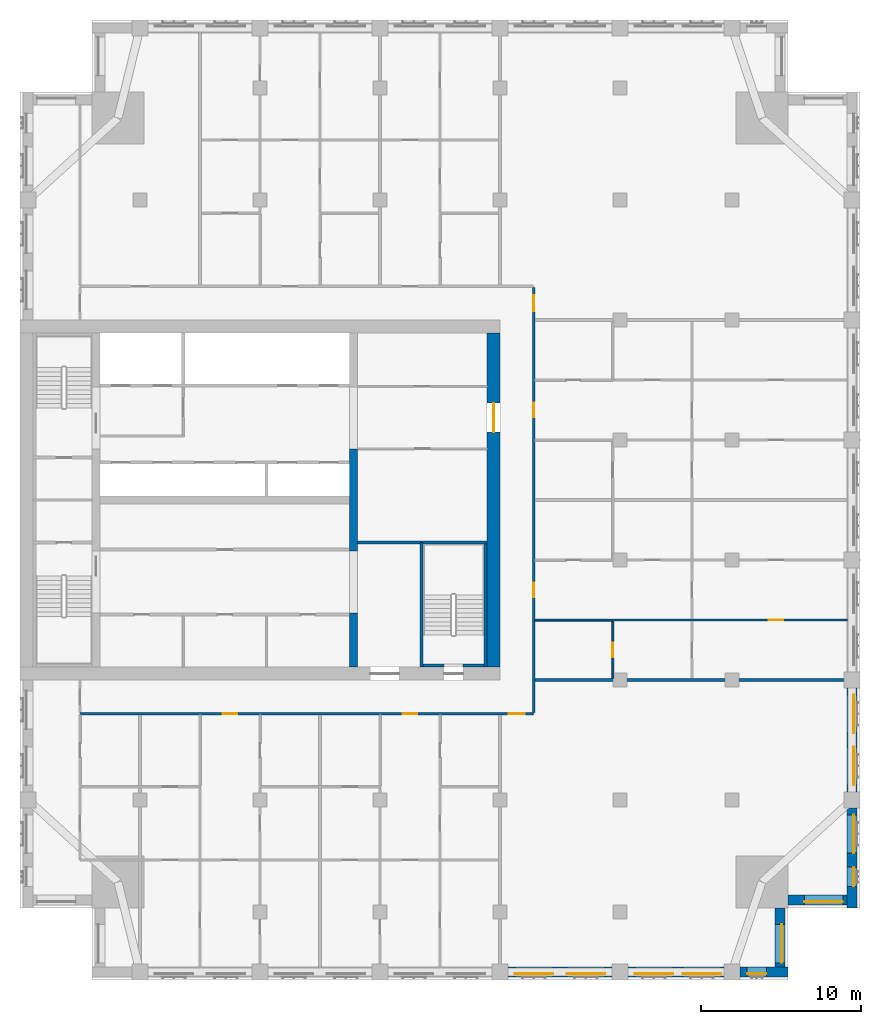
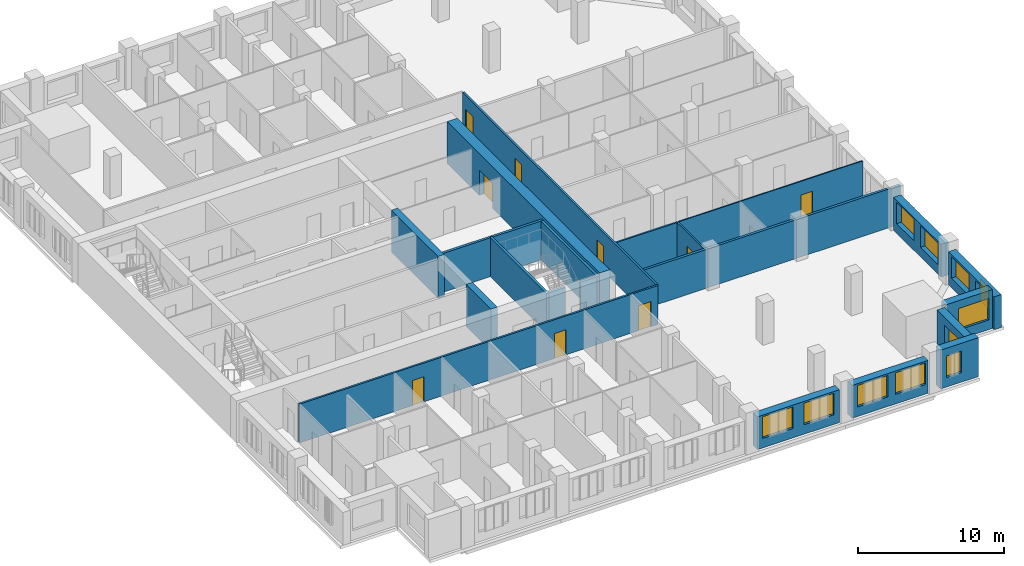
# One storey, part 8 of 14: 21 walls, 11 windows, 9 doors, 20 openings.
"""IFC4 building model written with IfcOpenShell, lengths in metres."""

from ifc_helpers import new_model, si_unit, direction, frame, frame_2d, origin, place, context, subcontext, project, spatial, rectangle, extrude, material, layer, layer_set, type_object, element, fill, save


model = new_model("IFC4")

# Units and contexts
model_context = context("Model", 3, precision=1e-05, world=origin(), true_north=direction((0.0, 1.0)))
body_context = subcontext(model_context, "Body", "Model", "MODEL_VIEW")
ifc_project = project(units=[si_unit("LENGTHUNIT", "METRE"), si_unit("AREAUNIT", "SQUARE_METRE"), si_unit("VOLUMEUNIT", "CUBIC_METRE"), si_unit("PLANEANGLEUNIT", "RADIAN"), si_unit("MASSUNIT", "GRAM", prefix="KILO")], contexts=[model_context])

# Site, building, storey
site_placement = place(None, origin())
site = spatial("IfcSite", under=ifc_project, at=site_placement, CompositionType="ELEMENT")
building_placement = place(site_placement, origin())
building = spatial("IfcBuilding", under=site, at=building_placement, Name="Tamorin Gate", CompositionType="ELEMENT")
storey_placement = place(building_placement, frame((0.0, 0.0, 179.199951171875)))
storey = spatial("IfcBuildingStorey", under=building, at=storey_placement, Name="L43", CompositionType="ELEMENT", Elevation=179.199951171875)

# Wall, openings, windows
ifc_material_1 = material(Name="Precast concrete C40/50", Category="concrete")
ifc_layer_1 = layer(ifc_material_1, 0.60009765625)
ifc_layer_set_1 = layer_set([ifc_layer_1], Name="Precast concrete C40/50")
wall_type_1 = type_object("IfcWallType", Name="Board-marked concrete facade panel 600", PredefinedType="SOLIDWALL", material=ifc_layer_set_1)
wall_1_placement = place(storey_placement, frame((60.5, 41.75, 0.0), z_axis=(0.0, 0.0, 1.0), x_axis=(1.0, 0.0, 0.0)))
wall_1 = element("IfcWall", 1, at=wall_1_placement, inside=storey, type_object=wall_type_1, Name="Facade panel", PredefinedType="SOLIDWALL", context=body_context, shape_type="SweptSolid", body=[
    extrude(rectangle(XDim=6.5, YDim=0.60009765625, at=frame_2d((3.25, 0.0))), origin(), (0.0, 0.0, 1.0), 2.75),
])
opening_1_placement = place(wall_1_placement, frame((0.425048828125, 0.0, 0.800048828125)))
opening_1 = element("IfcOpeningElement", 2, at=opening_1_placement, cuts=wall_1, Name="Opening WN1", PredefinedType="OPENING", context=body_context, shape_type="SweptSolid", body=[
    extrude(rectangle(XDim=2.39990234375, YDim=1.800048828125, at=frame_2d((1.199951171875, 0.89990234375))), frame((0.0, 0.31005859375, 0.0), z_axis=(0.0, -1.0, 0.0), x_axis=(1.0, 0.0, 0.0)), (0.0, 0.0, 1.0), 0.6201171875),
])
opening_2_placement = place(wall_1_placement, frame((3.675048828125, 0.0, 0.800048828125)))
opening_2 = element("IfcOpeningElement", 3, at=opening_2_placement, cuts=wall_1, Name="Opening WN1", PredefinedType="OPENING", context=body_context, shape_type="SweptSolid", body=[
    extrude(rectangle(XDim=2.39990234375, YDim=1.800048828125, at=frame_2d((1.199951171875, 0.89990234375))), frame((0.0, 0.31005859375, 0.0), z_axis=(0.0, -1.0, 0.0), x_axis=(1.0, 0.0, 0.0)), (0.0, 0.0, 1.0), 0.6201171875),
])
ifc_material_2 = material(Name="Clear glass in aluminium frame", Category="aluminium")
window_type_1 = type_object("IfcWindowType", Name="Deep-set window 2400x1800", PartitioningType="SINGLE_PANEL", PredefinedType="WINDOW", material=ifc_material_2)
window_1_placement = place(opening_1_placement, origin())
window_1 = element("IfcWindow", 4, at=window_1_placement, inside=storey, type_object=window_type_1, Name="Deep-set window", OverallHeight=1.800048828125, OverallWidth=2.39990234375, PartitioningType="SINGLE_PANEL", PredefinedType="WINDOW", context=body_context, shape_type="SweptSolid", body=[
    extrude(rectangle(XDim=2.39990234375, YDim=1.800048828125, at=frame_2d((1.199951171875, 0.89990234375))), frame((0.0, -0.070068359375, 0.0), z_axis=(0.0, -1.0, 0.0), x_axis=(1.0, 0.0, 0.0)), (0.0, 0.0, 1.0), 0.06005859375),
])
fill(opening_1, window_1)
window_2_placement = place(opening_2_placement, origin())
window_2 = element("IfcWindow", 5, at=window_2_placement, inside=storey, type_object=window_type_1, Name="Deep-set window", OverallHeight=1.800048828125, OverallWidth=2.39990234375, PartitioningType="SINGLE_PANEL", PredefinedType="WINDOW", context=body_context, shape_type="SweptSolid", body=[
    extrude(rectangle(XDim=2.39990234375, YDim=1.800048828125, at=frame_2d((1.199951171875, 0.89990234375))), frame((0.0, -0.070068359375, 0.0), z_axis=(0.0, -1.0, 0.0), x_axis=(1.0, 0.0, 0.0)), (0.0, 0.0, 1.0), 0.06005859375),
])
fill(opening_2, window_2)

wall_2_placement = place(storey_placement, frame((68.0, 41.75, 0.0), z_axis=(0.0, 0.0, 1.0), x_axis=(1.0, 0.0, 0.0)))
wall_2 = element("IfcWall", 6, at=wall_2_placement, inside=storey, type_object=wall_type_1, Name="Facade panel", PredefinedType="SOLIDWALL", context=body_context, shape_type="SweptSolid", body=[
    extrude(rectangle(XDim=6.0, YDim=0.60009765625, at=frame_2d((3.0, 0.0))), origin(), (0.0, 0.0, 1.0), 2.75),
])
opening_3_placement = place(wall_2_placement, frame((0.425048828125, 0.0, 0.800048828125)))
opening_3 = element("IfcOpeningElement", 7, at=opening_3_placement, cuts=wall_2, Name="Opening WN1", PredefinedType="OPENING", context=body_context, shape_type="SweptSolid", body=[
    extrude(rectangle(XDim=2.39990234375, YDim=1.800048828125, at=frame_2d((1.199951171875, 0.89990234375))), frame((0.0, 0.31005859375, 0.0), z_axis=(0.0, -1.0, 0.0), x_axis=(1.0, 0.0, 0.0)), (0.0, 0.0, 1.0), 0.6201171875),
])
opening_4_placement = place(wall_2_placement, frame((3.425048828125, 0.0, 0.800048828125)))
opening_4 = element("IfcOpeningElement", 8, at=opening_4_placement, cuts=wall_2, Name="Opening WN1", PredefinedType="OPENING", context=body_context, shape_type="SweptSolid", body=[
    extrude(rectangle(XDim=2.39990234375, YDim=1.800048828125, at=frame_2d((1.199951171875, 0.89990234375))), frame((0.0, 0.31005859375, 0.0), z_axis=(0.0, -1.0, 0.0), x_axis=(1.0, 0.0, 0.0)), (0.0, 0.0, 1.0), 0.6201171875),
])
window_3_placement = place(opening_3_placement, origin())
window_3 = element("IfcWindow", 9, at=window_3_placement, inside=storey, type_object=window_type_1, Name="Deep-set window", OverallHeight=1.800048828125, OverallWidth=2.39990234375, PartitioningType="SINGLE_PANEL", PredefinedType="WINDOW", context=body_context, shape_type="SweptSolid", body=[
    extrude(rectangle(XDim=2.39990234375, YDim=1.800048828125, at=frame_2d((1.199951171875, 0.89990234375))), frame((0.0, -0.070068359375, 0.0), z_axis=(0.0, -1.0, 0.0), x_axis=(1.0, 0.0, 0.0)), (0.0, 0.0, 1.0), 0.06005859375),
])
fill(opening_3, window_3)
window_4_placement = place(opening_4_placement, origin())
window_4 = element("IfcWindow", 10, at=window_4_placement, inside=storey, type_object=window_type_1, Name="Deep-set window", OverallHeight=1.800048828125, OverallWidth=2.39990234375, PartitioningType="SINGLE_PANEL", PredefinedType="WINDOW", context=body_context, shape_type="SweptSolid", body=[
    extrude(rectangle(XDim=2.39990234375, YDim=1.800048828125, at=frame_2d((1.199951171875, 0.89990234375))), frame((0.0, -0.070068359375, 0.0), z_axis=(0.0, -1.0, 0.0), x_axis=(1.0, 0.0, 0.0)), (0.0, 0.0, 1.0), 0.06005859375),
])
fill(opening_4, window_4)

# Wall, opening, window
wall_3_placement = place(storey_placement, frame((75.0, 41.75, 0.0), z_axis=(0.0, 0.0, 1.0), x_axis=(1.0, 0.0, 0.0)))
wall_3 = element("IfcWall", 11, at=wall_3_placement, inside=storey, type_object=wall_type_1, Name="Facade panel", PredefinedType="SOLIDWALL", context=body_context, shape_type="SweptSolid", body=[
    extrude(rectangle(XDim=3.0, YDim=0.60009765625, at=frame_2d((1.5, 0.0))), origin(), (0.0, 0.0, 1.0), 3.25),
])
opening_5_placement = place(wall_3_placement, frame((0.449951171875, 0.0, 0.800048828125)))
opening_5 = element("IfcOpeningElement", 12, at=opening_5_placement, cuts=wall_3, Name="Opening WN3", PredefinedType="OPENING", context=body_context, shape_type="SweptSolid", body=[
    extrude(rectangle(XDim=1.199951171875, YDim=1.800048828125, at=frame_2d((0.60009765625, 0.89990234375))), frame((0.0, 0.31005859375, 0.0), z_axis=(0.0, -1.0, 0.0), x_axis=(1.0, 0.0, 0.0)), (0.0, 0.0, 1.0), 0.6201171875),
])
window_type_2 = type_object("IfcWindowType", Name="Deep-set window 1200x1800", PartitioningType="SINGLE_PANEL", PredefinedType="WINDOW", material=ifc_material_2)
window_5_placement = place(opening_5_placement, origin())
window_5 = element("IfcWindow", 13, at=window_5_placement, inside=storey, type_object=window_type_2, Name="Deep-set window", OverallHeight=1.800048828125, OverallWidth=1.199951171875, PartitioningType="SINGLE_PANEL", PredefinedType="WINDOW", context=body_context, shape_type="SweptSolid", body=[
    extrude(rectangle(XDim=1.199951171875, YDim=1.800048828125, at=frame_2d((0.60009765625, 0.89990234375))), frame((0.0, -0.070068359375, 0.0), z_axis=(0.0, -1.0, 0.0), x_axis=(1.0, 0.0, 0.0)), (0.0, 0.0, 1.0), 0.06005859375),
])
fill(opening_5, window_5)

wall_4_placement = place(storey_placement, frame((77.5, 42.050048828125, 0.0), z_axis=(0.0, 0.0, 1.0), x_axis=(0.0, 1.0, 0.0)))
wall_4 = element("IfcWall", 14, at=wall_4_placement, inside=storey, type_object=wall_type_1, Name="Facade panel", PredefinedType="SOLIDWALL", context=body_context, shape_type="SweptSolid", body=[
    extrude(rectangle(XDim=3.699951171875, YDim=0.60009765625, at=frame_2d((1.85009765625, 0.0))), origin(), (0.0, 0.0, 1.0), 3.25),
])
opening_6_placement = place(wall_4_placement, frame((0.27490234375, 0.0, 0.800048828125)))
opening_6 = element("IfcOpeningElement", 15, at=opening_6_placement, cuts=wall_4, Name="Opening WN1", PredefinedType="OPENING", context=body_context, shape_type="SweptSolid", body=[
    extrude(rectangle(XDim=2.39990234375, YDim=1.800048828125, at=frame_2d((1.199951171875, 0.89990234375))), frame((0.0, 0.31005859375, 0.0), z_axis=(0.0, -1.0, 0.0), x_axis=(1.0, 0.0, 0.0)), (0.0, 0.0, 1.0), 0.6201171875),
])
window_6_placement = place(opening_6_placement, origin())
window_6 = element("IfcWindow", 16, at=window_6_placement, inside=storey, type_object=window_type_1, Name="Deep-set window", OverallHeight=1.800048828125, OverallWidth=2.39990234375, PartitioningType="SINGLE_PANEL", PredefinedType="WINDOW", context=body_context, shape_type="SweptSolid", body=[
    extrude(rectangle(XDim=2.39990234375, YDim=1.800048828125, at=frame_2d((1.199951171875, 0.89990234375))), frame((0.0, -0.070068359375, 0.0), z_axis=(0.0, -1.0, 0.0), x_axis=(1.0, 0.0, 0.0)), (0.0, 0.0, 1.0), 0.06005859375),
])
fill(opening_6, window_6)

wall_5_placement = place(storey_placement, frame((78.0, 46.25, 0.0), z_axis=(0.0, 0.0, 1.0), x_axis=(1.0, 0.0, 0.0)))
wall_5 = element("IfcWall", 17, at=wall_5_placement, inside=storey, type_object=wall_type_1, Name="Facade panel", PredefinedType="SOLIDWALL", context=body_context, shape_type="SweptSolid", body=[
    extrude(rectangle(XDim=3.699951171875, YDim=0.60009765625, at=frame_2d((1.85009765625, 0.0))), origin(), (0.0, 0.0, 1.0), 3.25),
])
opening_7_placement = place(wall_5_placement, frame((1.02490234375, 0.0, 0.800048828125)))
opening_7 = element("IfcOpeningElement", 18, at=opening_7_placement, cuts=wall_5, Name="Opening WN1", PredefinedType="OPENING", context=body_context, shape_type="SweptSolid", body=[
    extrude(rectangle(XDim=2.39990234375, YDim=1.800048828125, at=frame_2d((1.199951171875, 0.89990234375))), frame((0.0, 0.31005859375, 0.0), z_axis=(0.0, -1.0, 0.0), x_axis=(1.0, 0.0, 0.0)), (0.0, 0.0, 1.0), 0.6201171875),
])
window_7_placement = place(opening_7_placement, origin())
window_7 = element("IfcWindow", 19, at=window_7_placement, inside=storey, type_object=window_type_1, Name="Deep-set window", OverallHeight=1.800048828125, OverallWidth=2.39990234375, PartitioningType="SINGLE_PANEL", PredefinedType="WINDOW", context=body_context, shape_type="SweptSolid", body=[
    extrude(rectangle(XDim=2.39990234375, YDim=1.800048828125, at=frame_2d((1.199951171875, 0.89990234375))), frame((0.0, -0.070068359375, 0.0), z_axis=(0.0, -1.0, 0.0), x_axis=(1.0, 0.0, 0.0)), (0.0, 0.0, 1.0), 0.06005859375),
])
fill(opening_7, window_7)

# Wall, openings, windows
wall_6_placement = place(storey_placement, frame((82.0, 45.75, 0.0), z_axis=(0.0, 0.0, 1.0), x_axis=(0.0, 1.0, 0.0)))
wall_6 = element("IfcWall", 20, at=wall_6_placement, inside=storey, type_object=wall_type_1, Name="Facade panel", PredefinedType="SOLIDWALL", context=body_context, shape_type="SweptSolid", body=[
    extrude(rectangle(XDim=6.25, YDim=0.60009765625, at=frame_2d((3.125, 0.0))), origin(), (0.0, 0.0, 1.0), 2.75),
])
opening_8_placement = place(wall_6_placement, frame((1.35009765625, 0.0, 0.800048828125)))
opening_8 = element("IfcOpeningElement", 21, at=opening_8_placement, cuts=wall_6, Name="Opening WN3", PredefinedType="OPENING", context=body_context, shape_type="SweptSolid", body=[
    extrude(rectangle(XDim=1.199951171875, YDim=1.800048828125, at=frame_2d((0.60009765625, 0.89990234375))), frame((0.0, 0.31005859375, 0.0), z_axis=(0.0, -1.0, 0.0), x_axis=(1.0, 0.0, 0.0)), (0.0, 0.0, 1.0), 0.6201171875),
])
opening_9_placement = place(wall_6_placement, frame((3.425048828125, 0.0, 0.800048828125)))
opening_9 = element("IfcOpeningElement", 22, at=opening_9_placement, cuts=wall_6, Name="Opening WN1", PredefinedType="OPENING", context=body_context, shape_type="SweptSolid", body=[
    extrude(rectangle(XDim=2.39990234375, YDim=1.800048828125, at=frame_2d((1.199951171875, 0.89990234375))), frame((0.0, 0.31005859375, 0.0), z_axis=(0.0, -1.0, 0.0), x_axis=(1.0, 0.0, 0.0)), (0.0, 0.0, 1.0), 0.6201171875),
])
window_8_placement = place(opening_8_placement, origin())
window_8 = element("IfcWindow", 23, at=window_8_placement, inside=storey, type_object=window_type_2, Name="Deep-set window", OverallHeight=1.800048828125, OverallWidth=1.199951171875, PartitioningType="SINGLE_PANEL", PredefinedType="WINDOW", context=body_context, shape_type="SweptSolid", body=[
    extrude(rectangle(XDim=1.199951171875, YDim=1.800048828125, at=frame_2d((0.60009765625, 0.89990234375))), frame((0.0, -0.070068359375, 0.0), z_axis=(0.0, -1.0, 0.0), x_axis=(1.0, 0.0, 0.0)), (0.0, 0.0, 1.0), 0.06005859375),
])
fill(opening_8, window_8)
window_9_placement = place(opening_9_placement, origin())
window_9 = element("IfcWindow", 24, at=window_9_placement, inside=storey, type_object=window_type_1, Name="Deep-set window", OverallHeight=1.800048828125, OverallWidth=2.39990234375, PartitioningType="SINGLE_PANEL", PredefinedType="WINDOW", context=body_context, shape_type="SweptSolid", body=[
    extrude(rectangle(XDim=2.39990234375, YDim=1.800048828125, at=frame_2d((1.199951171875, 0.89990234375))), frame((0.0, -0.070068359375, 0.0), z_axis=(0.0, -1.0, 0.0), x_axis=(1.0, 0.0, 0.0)), (0.0, 0.0, 1.0), 0.06005859375),
])
fill(opening_9, window_9)

wall_7_placement = place(storey_placement, frame((82.0, 53.0, 0.0), z_axis=(0.0, 0.0, 1.0), x_axis=(0.0, 1.0, 0.0)))
wall_7 = element("IfcWall", 25, at=wall_7_placement, inside=storey, type_object=wall_type_1, Name="Facade panel", PredefinedType="SOLIDWALL", context=body_context, shape_type="SweptSolid", body=[
    extrude(rectangle(XDim=6.5, YDim=0.60009765625, at=frame_2d((3.25, 0.0))), origin(), (0.0, 0.0, 1.0), 2.75),
])
opening_10_placement = place(wall_7_placement, frame((0.425048828125, 0.0, 0.800048828125)))
opening_10 = element("IfcOpeningElement", 26, at=opening_10_placement, cuts=wall_7, Name="Opening WN1", PredefinedType="OPENING", context=body_context, shape_type="SweptSolid", body=[
    extrude(rectangle(XDim=2.39990234375, YDim=1.800048828125, at=frame_2d((1.199951171875, 0.89990234375))), frame((0.0, 0.31005859375, 0.0), z_axis=(0.0, -1.0, 0.0), x_axis=(1.0, 0.0, 0.0)), (0.0, 0.0, 1.0), 0.6201171875),
])
opening_11_placement = place(wall_7_placement, frame((3.675048828125, 0.0, 0.800048828125)))
opening_11 = element("IfcOpeningElement", 27, at=opening_11_placement, cuts=wall_7, Name="Opening WN1", PredefinedType="OPENING", context=body_context, shape_type="SweptSolid", body=[
    extrude(rectangle(XDim=2.39990234375, YDim=1.800048828125, at=frame_2d((1.199951171875, 0.89990234375))), frame((0.0, 0.31005859375, 0.0), z_axis=(0.0, -1.0, 0.0), x_axis=(1.0, 0.0, 0.0)), (0.0, 0.0, 1.0), 0.6201171875),
])
window_10_placement = place(opening_10_placement, origin())
window_10 = element("IfcWindow", 28, at=window_10_placement, inside=storey, type_object=window_type_1, Name="Deep-set window", OverallHeight=1.800048828125, OverallWidth=2.39990234375, PartitioningType="SINGLE_PANEL", PredefinedType="WINDOW", context=body_context, shape_type="SweptSolid", body=[
    extrude(rectangle(XDim=2.39990234375, YDim=1.800048828125, at=frame_2d((1.199951171875, 0.89990234375))), frame((0.0, -0.070068359375, 0.0), z_axis=(0.0, -1.0, 0.0), x_axis=(1.0, 0.0, 0.0)), (0.0, 0.0, 1.0), 0.06005859375),
])
fill(opening_10, window_10)
window_11_placement = place(opening_11_placement, origin())
window_11 = element("IfcWindow", 29, at=window_11_placement, inside=storey, type_object=window_type_1, Name="Deep-set window", OverallHeight=1.800048828125, OverallWidth=2.39990234375, PartitioningType="SINGLE_PANEL", PredefinedType="WINDOW", context=body_context, shape_type="SweptSolid", body=[
    extrude(rectangle(XDim=2.39990234375, YDim=1.800048828125, at=frame_2d((1.199951171875, 0.89990234375))), frame((0.0, -0.070068359375, 0.0), z_axis=(0.0, -1.0, 0.0), x_axis=(1.0, 0.0, 0.0)), (0.0, 0.0, 1.0), 0.06005859375),
])
fill(opening_11, window_11)

# Wall, openings, doors
ifc_material_3 = material(Name="Gypsum board partition")
ifc_layer_2 = layer(ifc_material_3, 0.14990234375)
ifc_layer_set_2 = layer_set([ifc_layer_2], Name="Corridor wall 150")
wall_type_2 = type_object("IfcWallType", Name="Corridor wall 150", PredefinedType="PARTITIONING", material=ifc_layer_set_2)
wall_8_placement = place(storey_placement, frame((33.75, 57.89990234375, 0.0), z_axis=(0.0, 0.0, 1.0), x_axis=(1.0, 0.0, 0.0)))
wall_8 = element("IfcWall", 30, at=wall_8_placement, inside=storey, type_object=wall_type_2, Name="Corridor wall 150", PredefinedType="PARTITIONING", context=body_context, shape_type="SweptSolid", body=[
    extrude(rectangle(XDim=28.35009765625, YDim=0.14990234375, at=frame_2d((14.175048828125, 0.0))), origin(), (0.0, 0.0, 1.0), 3.25),
])
opening_12_placement = place(wall_8_placement, frame((8.925048828125, 0.0, 0.0)))
opening_12 = element("IfcOpeningElement", 31, at=opening_12_placement, cuts=wall_8, Name="Opening DR1006", PredefinedType="OPENING", context=body_context, shape_type="SweptSolid", body=[
    extrude(rectangle(XDim=0.89990234375, YDim=2.10009765625, at=frame_2d((0.449951171875, 1.050048828125))), frame((0.0, 0.0849609375, 0.0), z_axis=(0.0, -1.0, 0.0), x_axis=(1.0, 0.0, 0.0)), (0.0, 0.0, 1.0), 0.169921875),
])
opening_13_placement = place(wall_8_placement, frame((20.175048828125, 0.0, 0.0)))
opening_13 = element("IfcOpeningElement", 32, at=opening_13_placement, cuts=wall_8, Name="Opening DR1014", PredefinedType="OPENING", context=body_context, shape_type="SweptSolid", body=[
    extrude(rectangle(XDim=0.89990234375, YDim=2.10009765625, at=frame_2d((0.449951171875, 1.050048828125))), frame((0.0, 0.0849609375, 0.0), z_axis=(0.0, -1.0, 0.0), x_axis=(1.0, 0.0, 0.0)), (0.0, 0.0, 1.0), 0.169921875),
])
opening_14_placement = place(wall_8_placement, frame((26.800048828125, 0.0, 0.0)))
opening_14 = element("IfcOpeningElement", 33, at=opening_14_placement, cuts=wall_8, Name="Opening DR1020", PredefinedType="OPENING", context=body_context, shape_type="SweptSolid", body=[
    extrude(rectangle(XDim=1.0, YDim=2.10009765625, at=frame_2d((0.5, 1.050048828125))), frame((0.0, 0.0849609375, 0.0), z_axis=(0.0, -1.0, 0.0), x_axis=(1.0, 0.0, 0.0)), (0.0, 0.0, 1.0), 0.169921875),
])
ifc_material_4 = material(Name="Timber door leaf", Category="wood")
door_type_1 = type_object("IfcDoorType", Name="Door 1000 x 2100 FD30S", OperationType="NOTDEFINED", PredefinedType="DOOR", material=ifc_material_4)
door_1_placement = place(opening_14_placement, origin())
door_1 = element("IfcDoor", 34, at=door_1_placement, inside=storey, type_object=door_type_1, Name="Door DR1020", OperationType="SINGLE_SWING_RIGHT", OverallHeight=2.10009765625, OverallWidth=1.0, PredefinedType="DOOR", context=body_context, shape_type="SweptSolid", body=[
    extrude(rectangle(XDim=1.0, YDim=2.10009765625, at=frame_2d((0.5, 1.050048828125))), frame((0.0, 0.02490234375, 0.0), z_axis=(0.0, -1.0, 0.0), x_axis=(1.0, 0.0, 0.0)), (0.0, 0.0, 1.0), 0.050048828125),
])
fill(opening_14, door_1)
door_type_2 = type_object("IfcDoorType", Name="Door 900 x 2100 FD30S", OperationType="NOTDEFINED", PredefinedType="DOOR", material=ifc_material_4)
door_2_placement = place(opening_12_placement, origin())
door_2 = element("IfcDoor", 35, at=door_2_placement, inside=storey, type_object=door_type_2, Name="Door DR1006", OperationType="SINGLE_SWING_RIGHT", OverallHeight=2.10009765625, OverallWidth=0.89990234375, PredefinedType="DOOR", context=body_context, shape_type="SweptSolid", body=[
    extrude(rectangle(XDim=0.89990234375, YDim=2.10009765625, at=frame_2d((0.449951171875, 1.050048828125))), frame((0.0, 0.02490234375, 0.0), z_axis=(0.0, -1.0, 0.0), x_axis=(1.0, 0.0, 0.0)), (0.0, 0.0, 1.0), 0.050048828125),
])
fill(opening_12, door_2)
door_3_placement = place(opening_13_placement, origin())
door_3 = element("IfcDoor", 36, at=door_3_placement, inside=storey, type_object=door_type_2, Name="Door DR1014", OperationType="SINGLE_SWING_RIGHT", OverallHeight=2.10009765625, OverallWidth=0.89990234375, PredefinedType="DOOR", context=body_context, shape_type="SweptSolid", body=[
    extrude(rectangle(XDim=0.89990234375, YDim=2.10009765625, at=frame_2d((0.449951171875, 1.050048828125))), frame((0.0, 0.02490234375, 0.0), z_axis=(0.0, -1.0, 0.0), x_axis=(1.0, 0.0, 0.0)), (0.0, 0.0, 1.0), 0.050048828125),
])
fill(opening_13, door_3)

wall_9_placement = place(storey_placement, frame((62.10009765625, 57.97509765625, 0.0), z_axis=(0.0, 0.0, 1.0), x_axis=(0.0, 1.0, 0.0)))
wall_9 = element("IfcWall", 37, at=wall_9_placement, inside=storey, type_object=wall_type_2, Name="Corridor wall 150", PredefinedType="PARTITIONING", context=body_context, shape_type="SweptSolid", body=[
    extrude(rectangle(XDim=26.5498046875, YDim=0.14990234375, at=frame_2d((13.27490234375, 0.0))), origin(), (0.0, 0.0, 1.0), 3.25),
])
opening_15_placement = place(wall_9_placement, frame((25.074951171875, 0.0, 0.0)))
opening_15 = element("IfcOpeningElement", 38, at=opening_15_placement, cuts=wall_9, Name="Opening DR1036", PredefinedType="OPENING", context=body_context, shape_type="SweptSolid", body=[
    extrude(rectangle(XDim=1.0, YDim=2.10009765625, at=frame_2d((0.5, 1.050048828125))), frame((0.0, 0.0849609375, 0.0), z_axis=(0.0, -1.0, 0.0), x_axis=(1.0, 0.0, 0.0)), (0.0, 0.0, 1.0), 0.169921875),
])
opening_16_placement = place(wall_9_placement, frame((7.199951171875, 0.0, 0.0)))
opening_16 = element("IfcOpeningElement", 39, at=opening_16_placement, cuts=wall_9, Name="Opening DR1039", PredefinedType="OPENING", context=body_context, shape_type="SweptSolid", body=[
    extrude(rectangle(XDim=0.89990234375, YDim=2.10009765625, at=frame_2d((0.449951171875, 1.050048828125))), frame((0.0, 0.0849609375, 0.0), z_axis=(0.0, -1.0, 0.0), x_axis=(1.0, 0.0, 0.0)), (0.0, 0.0, 1.0), 0.169921875),
])
opening_17_placement = place(wall_9_placement, frame((18.449951171875, 0.0, 0.0)))
opening_17 = element("IfcOpeningElement", 40, at=opening_17_placement, cuts=wall_9, Name="Opening DR1047", PredefinedType="OPENING", context=body_context, shape_type="SweptSolid", body=[
    extrude(rectangle(XDim=0.89990234375, YDim=2.10009765625, at=frame_2d((0.449951171875, 1.050048828125))), frame((0.0, 0.0849609375, 0.0), z_axis=(0.0, -1.0, 0.0), x_axis=(1.0, 0.0, 0.0)), (0.0, 0.0, 1.0), 0.169921875),
])
door_4_placement = place(opening_15_placement, origin())
door_4 = element("IfcDoor", 41, at=door_4_placement, inside=storey, type_object=door_type_1, Name="Door DR1036", OperationType="SINGLE_SWING_RIGHT", OverallHeight=2.10009765625, OverallWidth=1.0, PredefinedType="DOOR", context=body_context, shape_type="SweptSolid", body=[
    extrude(rectangle(XDim=1.0, YDim=2.10009765625, at=frame_2d((0.5, 1.050048828125))), frame((0.0, 0.02490234375, 0.0), z_axis=(0.0, -1.0, 0.0), x_axis=(1.0, 0.0, 0.0)), (0.0, 0.0, 1.0), 0.050048828125),
])
fill(opening_15, door_4)
door_5_placement = place(opening_16_placement, origin())
door_5 = element("IfcDoor", 42, at=door_5_placement, inside=storey, type_object=door_type_2, Name="Door DR1039", OperationType="SINGLE_SWING_RIGHT", OverallHeight=2.10009765625, OverallWidth=0.89990234375, PredefinedType="DOOR", context=body_context, shape_type="SweptSolid", body=[
    extrude(rectangle(XDim=0.89990234375, YDim=2.10009765625, at=frame_2d((0.449951171875, 1.050048828125))), frame((0.0, 0.02490234375, 0.0), z_axis=(0.0, -1.0, 0.0), x_axis=(1.0, 0.0, 0.0)), (0.0, 0.0, 1.0), 0.050048828125),
])
fill(opening_16, door_5)
door_6_placement = place(opening_17_placement, origin())
door_6 = element("IfcDoor", 43, at=door_6_placement, inside=storey, type_object=door_type_2, Name="Door DR1047", OperationType="SINGLE_SWING_RIGHT", OverallHeight=2.10009765625, OverallWidth=0.89990234375, PredefinedType="DOOR", context=body_context, shape_type="SweptSolid", body=[
    extrude(rectangle(XDim=0.89990234375, YDim=2.10009765625, at=frame_2d((0.449951171875, 1.050048828125))), frame((0.0, 0.02490234375, 0.0), z_axis=(0.0, -1.0, 0.0), x_axis=(1.0, 0.0, 0.0)), (0.0, 0.0, 1.0), 0.050048828125),
])
fill(opening_17, door_6)

# Walls
ifc_layer_3 = layer(ifc_material_3, 0.199951171875)
ifc_layer_set_3 = layer_set([ifc_layer_3], Name="Demising wall 200")
wall_type_3 = type_object("IfcWallType", Name="Demising wall 200", PredefinedType="PARTITIONING", material=ifc_layer_set_3)
wall_10_placement = place(storey_placement, frame((62.175048828125, 60.0, 0.0), z_axis=(0.0, 0.0, 1.0), x_axis=(1.0, 0.0, 0.0)))
element("IfcWall", 44, at=wall_10_placement, inside=storey, type_object=wall_type_3, Name="Demising wall 200", PredefinedType="PARTITIONING", context=body_context, shape_type="SweptSolid", body=[
    extrude(rectangle(XDim=20.324951171875, YDim=0.199951171875, at=frame_2d((10.16259765625, 0.0))), origin(), (0.0, 0.0, 1.0), 3.25),
])
ifc_material_5 = material(Name="Concrete C60/75", Category="concrete")
ifc_layer_4 = layer(ifc_material_5, 0.5)
ifc_layer_set_4 = layer_set([ifc_layer_4], Name="RC core internal wall 500 C60/75")
wall_type_4 = type_object("IfcWallType", Name="RC core internal wall 500 C60/75", PredefinedType="SHEAR", material=ifc_layer_set_4)
wall_11_placement = place(storey_placement, frame((50.85009765625, 60.800048828125, 0.0), z_axis=(0.0, 0.0, 1.0), x_axis=(0.0, 1.0, 0.0)))
element("IfcWall", 45, at=wall_11_placement, inside=storey, type_object=wall_type_4, Name="Core cross wall L43", PredefinedType="SHEAR", context=body_context, shape_type="SweptSolid", body=[
    extrude(rectangle(XDim=3.39990234375, YDim=0.5, at=frame_2d((1.699951171875, 0.0))), origin(), (0.0, 0.0, 1.0), 3.5),
])
wall_12_placement = place(storey_placement, frame((50.85009765625, 68.050048828125, 0.0), z_axis=(0.0, 0.0, 1.0), x_axis=(0.0, 1.0, 0.0)))
element("IfcWall", 46, at=wall_12_placement, inside=storey, type_object=wall_type_4, Name="Core cross wall L43", PredefinedType="SHEAR", context=body_context, shape_type="SweptSolid", body=[
    extrude(rectangle(XDim=6.39990234375, YDim=0.5, at=frame_2d((3.199951171875, 0.0))), origin(), (0.0, 0.0, 1.0), 3.5),
])

# Wall, opening, door
ifc_layer_5 = layer(ifc_material_5, 0.800048828125)
ifc_layer_set_5 = layer_set([ifc_layer_5], Name="RC core wall 800 C60/75")
wall_type_5 = type_object("IfcWallType", Name="RC core wall 800 C60/75", PredefinedType="SHEAR", material=ifc_layer_set_5)
wall_13_placement = place(storey_placement, frame((59.60009765625, 60.800048828125, 0.0), z_axis=(0.0, 0.0, 1.0), x_axis=(0.0, 1.0, 0.0)))
wall_13 = element("IfcWall", 47, at=wall_13_placement, inside=storey, type_object=wall_type_5, Name="Core wall L43", PredefinedType="SHEAR", context=body_context, shape_type="SweptSolid", body=[
    extrude(rectangle(XDim=20.89990234375, YDim=0.800048828125, at=frame_2d((10.449951171875, 0.0))), origin(), (0.0, 0.0, 1.0), 3.5),
])
opening_18_placement = place(wall_13_placement, frame((14.699951171875, 0.0, 0.0)))
opening_18 = element("IfcOpeningElement", 48, at=opening_18_placement, cuts=wall_13, Name="Opening DE1", PredefinedType="OPENING", context=body_context, shape_type="SweptSolid", body=[
    extrude(rectangle(XDim=1.800048828125, YDim=2.10009765625, at=frame_2d((0.89990234375, 1.050048828125))), frame((0.0, 0.409912109375, 0.0), z_axis=(0.0, -1.0, 0.0), x_axis=(1.0, 0.0, 0.0)), (0.0, 0.0, 1.0), 0.820068359375),
])
ifc_material_6 = material(Name="Steel fire door", Category="steel")
door_type_3 = type_object("IfcDoorType", Name="Lobby exit double door 1800 x 2100 EI 60", OperationType="DOUBLE_DOOR_SINGLE_SWING", PredefinedType="DOOR", material=ifc_material_6)
door_7_placement = place(opening_18_placement, origin())
door_7 = element("IfcDoor", 49, at=door_7_placement, inside=storey, type_object=door_type_3, Name="Lift lobby B exit door", OperationType="DOUBLE_DOOR_SINGLE_SWING", OverallHeight=2.10009765625, OverallWidth=1.800048828125, PredefinedType="DOOR", context=body_context, shape_type="SweptSolid", body=[
    extrude(rectangle(XDim=1.800048828125, YDim=2.10009765625, at=frame_2d((0.89990234375, 1.050048828125))), frame((0.0, 0.02490234375, 0.0), z_axis=(0.0, -1.0, 0.0), x_axis=(1.0, 0.0, 0.0)), (0.0, 0.0, 1.0), 0.050048828125),
])
fill(opening_18, door_7)

ifc_layer_6 = layer(ifc_material_3, 0.10009765625)
ifc_layer_set_6 = layer_set([ifc_layer_6], Name="Room partition 100")
wall_type_6 = type_object("IfcWallType", Name="Room partition 100", PredefinedType="PARTITIONING", material=ifc_layer_set_6)
wall_14_placement = place(storey_placement, frame((67.112548828125, 63.75, 0.0), z_axis=(0.0, 0.0, 1.0), x_axis=(1.0, 0.0, 0.0)))
wall_14 = element("IfcWall", 50, at=wall_14_placement, inside=storey, type_object=wall_type_6, Name="Room partition 100", PredefinedType="PARTITIONING", context=body_context, shape_type="SweptSolid", body=[
    extrude(rectangle(XDim=14.577392578125, YDim=0.10009765625, at=frame_2d((7.28857421875, 0.0))), origin(), (0.0, 0.0, 1.0), 3.25),
])
opening_19_placement = place(wall_14_placement, frame((9.6875, 0.0, 0.0)))
opening_19 = element("IfcOpeningElement", 51, at=opening_19_placement, cuts=wall_14, Name="Opening DR1043", PredefinedType="OPENING", context=body_context, shape_type="SweptSolid", body=[
    extrude(rectangle(XDim=0.89990234375, YDim=2.10009765625, at=frame_2d((0.449951171875, 1.050048828125))), frame((0.0, 0.06005859375, 0.0), z_axis=(0.0, -1.0, 0.0), x_axis=(1.0, 0.0, 0.0)), (0.0, 0.0, 1.0), 0.1201171875),
])
door_type_4 = type_object("IfcDoorType", Name="Door 900 x 2100", OperationType="NOTDEFINED", PredefinedType="DOOR", material=ifc_material_4)
door_8_placement = place(opening_19_placement, origin())
door_8 = element("IfcDoor", 52, at=door_8_placement, inside=storey, type_object=door_type_4, Name="Door DR1043", OperationType="SINGLE_SWING_RIGHT", OverallHeight=2.10009765625, OverallWidth=0.89990234375, PredefinedType="DOOR", context=body_context, shape_type="SweptSolid", body=[
    extrude(rectangle(XDim=0.89990234375, YDim=2.10009765625, at=frame_2d((0.449951171875, 1.050048828125))), frame((0.0, 0.02490234375, 0.0), z_axis=(0.0, -1.0, 0.0), x_axis=(1.0, 0.0, 0.0)), (0.0, 0.0, 1.0), 0.050048828125),
])
fill(opening_19, door_8)

# Walls
ifc_material_7 = material(Name="Concrete C40/50", Category="concrete")
ifc_layer_7 = layer(ifc_material_7, 0.199951171875)
ifc_layer_set_7 = layer_set([ifc_layer_7], Name="Stair enclosure wall 200 EI 120 C40/50")
wall_type_7 = type_object("IfcWallType", Name="Stair enclosure wall 200 EI 120 C40/50", PredefinedType="SOLIDWALL", material=ifc_layer_set_7)
wall_15_placement = place(storey_placement, frame((55.10009765625, 60.800048828125, 0.0), z_axis=(0.0, 0.0, 1.0), x_axis=(0.0, 1.0, 0.0)))
element("IfcWall", 53, at=wall_15_placement, inside=storey, type_object=wall_type_7, Name="Stair enclosure wall", PredefinedType="SOLIDWALL", context=body_context, shape_type="SweptSolid", body=[
    extrude(rectangle(XDim=7.800048828125, YDim=0.199951171875, at=frame_2d((3.89990234375, 0.0))), origin(), (0.0, 0.0, 1.0), 3.25),
])
wall_16_placement = place(storey_placement, frame((51.10009765625, 68.60009765625, 0.0), z_axis=(0.0, 0.0, 1.0), x_axis=(1.0, 0.0, 0.0)))
element("IfcWall", 54, at=wall_16_placement, inside=storey, type_object=wall_type_7, Name="Stair enclosure wall", PredefinedType="SOLIDWALL", context=body_context, shape_type="SweptSolid", body=[
    extrude(rectangle(XDim=8.099853515625, YDim=0.199951171875, at=frame_2d((4.0498046875, 0.0))), origin(), (0.0, 0.0, 1.0), 3.25),
])
ifc_layer_8 = layer(ifc_material_5, 0.199951171875)
ifc_layer_set_8 = layer_set([ifc_layer_8], Name="Stair lining wall 200 EI 120 C60/75")
wall_type_8 = type_object("IfcWallType", Name="Stair lining wall 200 EI 120 C60/75", PredefinedType="SOLIDWALL", material=ifc_layer_set_8)
for number, where, z_axis, x_axis, name in (
    (55, (55.199951171875, 60.89990234375, 0.0), (0.0, 0.0, 1.0), (1.0, 0.0, 0.0), "Stair lining wall"),
    (56, (57.699951171875, 60.89990234375, 0.0), (0.0, 0.0, 1.0), (1.0, 0.0, 0.0), "Stair lining wall"),
):
    element("IfcWall", number, at=place(storey_placement, frame(where, z_axis=z_axis, x_axis=x_axis)), inside=storey, type_object=wall_type_8, Name=name, PredefinedType="SOLIDWALL", context=body_context, shape_type="SweptSolid", body=[
        extrude(rectangle(XDim=1.300048828125, YDim=0.199951171875, at=frame_2d((0.64990234375, 0.0))), origin(), (0.0, 0.0, 1.0), 3.25),
    ])
wall_17_placement = place(storey_placement, frame((59.10009765625, 60.800048828125, 0.0), z_axis=(0.0, 0.0, 1.0), x_axis=(0.0, 1.0, 0.0)))
element("IfcWall", 57, at=wall_17_placement, inside=storey, type_object=wall_type_8, Name="Stair lining wall", PredefinedType="SOLIDWALL", context=body_context, shape_type="SweptSolid", body=[
    extrude(rectangle(XDim=7.699951171875, YDim=0.199951171875, at=frame_2d((3.85009765625, 0.0))), origin(), (0.0, 0.0, 1.0), 3.25),
])
ifc_layer_9 = layer(ifc_material_3, 0.125)
ifc_layer_set_9 = layer_set([ifc_layer_9], Name="Wet wall 125")
wall_type_9 = type_object("IfcWallType", Name="Wet wall 125", PredefinedType="PARTITIONING", material=ifc_layer_set_9)
wall_18_placement = place(storey_placement, frame((62.175048828125, 63.75, 0.0), z_axis=(0.0, 0.0, 1.0), x_axis=(1.0, 0.0, 0.0)))
element("IfcWall", 58, at=wall_18_placement, inside=storey, type_object=wall_type_9, Name="Wet wall 125", PredefinedType="PARTITIONING", context=body_context, shape_type="SweptSolid", body=[
    extrude(rectangle(XDim=4.875, YDim=0.125, at=frame_2d((2.4375, 0.0))), origin(), (0.0, 0.0, 1.0), 3.25),
])

# Wall, opening, door
wall_19_placement = place(storey_placement, frame((67.050048828125, 60.10009765625, 0.0), z_axis=(0.0, 0.0, 1.0), x_axis=(0.0, 1.0, 0.0)))
wall_19 = element("IfcWall", 59, at=wall_19_placement, inside=storey, type_object=wall_type_9, Name="Wet wall 125", PredefinedType="PARTITIONING", context=body_context, shape_type="SweptSolid", body=[
    extrude(rectangle(XDim=3.58740234375, YDim=0.125, at=frame_2d((1.793701171875, 0.0))), origin(), (0.0, 0.0, 1.0), 3.25),
])
opening_20_placement = place(wall_19_placement, frame((1.324951171875, 0.0, 0.0)))
opening_20 = element("IfcOpeningElement", 60, at=opening_20_placement, cuts=wall_19, Name="Opening DR1038", PredefinedType="OPENING", context=body_context, shape_type="SweptSolid", body=[
    extrude(rectangle(XDim=0.89990234375, YDim=2.10009765625, at=frame_2d((0.449951171875, 1.050048828125))), frame((0.0, 0.072509765625, 0.0), z_axis=(0.0, -1.0, 0.0), x_axis=(1.0, 0.0, 0.0)), (0.0, 0.0, 1.0), 0.14501953125),
])
door_9_placement = place(opening_20_placement, origin())
door_9 = element("IfcDoor", 61, at=door_9_placement, inside=storey, type_object=door_type_4, Name="Door DR1038", OperationType="SINGLE_SWING_LEFT", OverallHeight=2.10009765625, OverallWidth=0.89990234375, PredefinedType="DOOR", context=body_context, shape_type="SweptSolid", body=[
    extrude(rectangle(XDim=0.89990234375, YDim=2.10009765625, at=frame_2d((0.449951171875, 1.050048828125))), frame((0.0, 0.02490234375, 0.0), z_axis=(0.0, -1.0, 0.0), x_axis=(1.0, 0.0, 0.0)), (0.0, 0.0, 1.0), 0.050048828125),
])
fill(opening_20, door_9)

save(model, "model.ifc")
